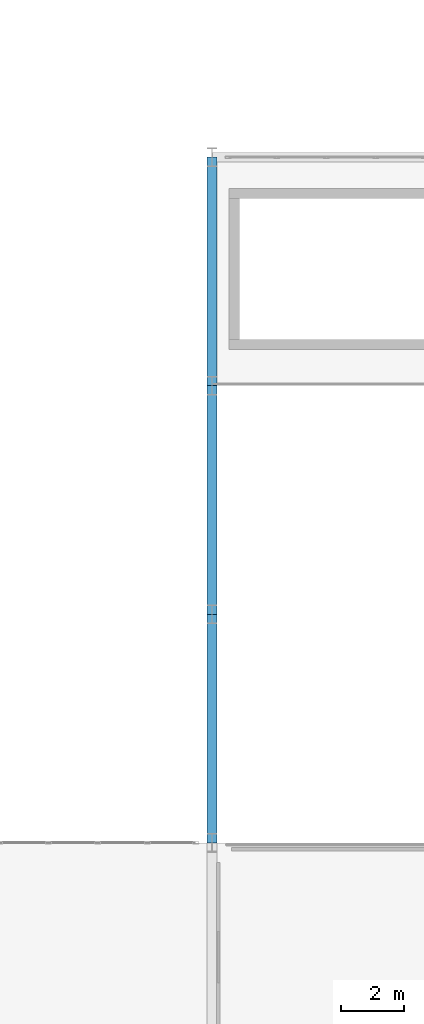
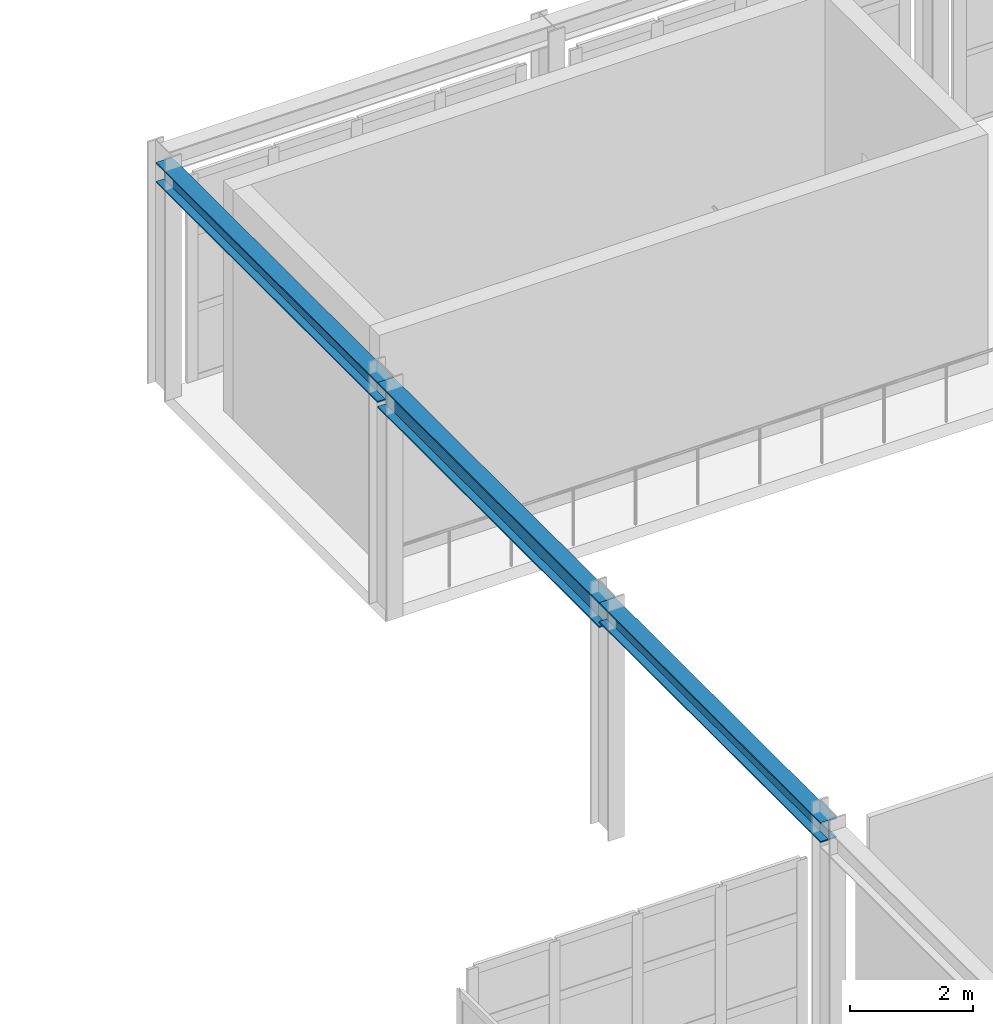
# One storey, part 64 of 126: 3 beams.
"""IFC4 building model written with IfcOpenShell, lengths in metres."""

from ifc_helpers import new_model, si_unit, direction, frame, origin, origin_2d, place, context, subcontext, project, spatial, i_section, extrude, material, material_profile, profile_set, type_object, element, save


model = new_model("IFC4")

# Units and contexts
model_context = context("Model", 3, precision=1e-05, world=origin(), true_north=direction((0.0, 1.0)))
body_context = subcontext(model_context, "Body", "Model", "MODEL_VIEW")
ifc_project = project(units=[si_unit("LENGTHUNIT", "METRE"), si_unit("AREAUNIT", "SQUARE_METRE"), si_unit("VOLUMEUNIT", "CUBIC_METRE"), si_unit("PLANEANGLEUNIT", "RADIAN"), si_unit("MASSUNIT", "GRAM", prefix="KILO")], contexts=[model_context])

# Site, building, storey
site_placement = place(None, origin())
site = spatial("IfcSite", under=ifc_project, at=site_placement, CompositionType="ELEMENT")
building_placement = place(site_placement, origin())
building = spatial("IfcBuilding", under=site, at=building_placement, Name="Solvadek Multi-Sports Hall", CompositionType="ELEMENT")
storey_placement = place(building_placement, frame((0.0, 0.0, 9.60009765625)))
storey = spatial("IfcBuildingStorey", under=building, at=storey_placement, Name="L02", CompositionType="ELEMENT", Elevation=9.60009765625)

# Beams
ifc_material = material(Name="Steel E350 (350 MPa)", Category="steel")
ifc_material_profile_1 = material_profile(ifc_material, i_section(OverallWidth=0.300048828125, OverallDepth=0.39990234375, WebThickness=0.013427734375, FlangeThickness=0.02392578125, at=origin_2d()), Name="WPB 400")
ifc_profile_set_1 = profile_set([ifc_material_profile_1], Name="Steel E350 (350 MPa)")
beam_type_1 = type_object("IfcBeamType", Name="STR-SPN-WPB400", PredefinedType="SPANDREL", material=ifc_profile_set_1)
for number, where, z_axis, x_axis, name in (
    (1, (136.800048828125, 49.199951171875, 4.35986328125), (0.0, 1.0, 0.0), (-1.0, 0.0, 0.0), "L02 Girder SP-02 #1602"),
    (2, (136.800048828125, 63.60009765625, 4.35986328125), (0.0, 1.0, 0.0), (-1.0, 0.0, 0.0), "L02 Girder SP-02 #1604"),
):
    element("IfcBeam", number, at=place(storey_placement, frame(where, z_axis=z_axis, x_axis=x_axis)), inside=storey, type_object=beam_type_1, Name=name, PredefinedType="SPANDREL", context=body_context, shape_type="SweptSolid", body=[
        extrude(i_section(OverallWidth=0.300048828125, OverallDepth=0.39990234375, WebThickness=0.013427734375, FlangeThickness=0.02392578125, at=origin_2d()), origin(), (0.0, 0.0, 1.0), 7.199951171875),
    ])
ifc_material_profile_2 = material_profile(ifc_material, i_section(OverallWidth=0.300048828125, OverallDepth=0.5, WebThickness=0.014404296875, FlangeThickness=0.028076171875, at=origin_2d()), Name="WPB 500")
ifc_profile_set_2 = profile_set([ifc_material_profile_2], Name="Steel E350 (350 MPa)")
beam_type_2 = type_object("IfcBeamType", Name="STR-SPN-WPB500", PredefinedType="SPANDREL", material=ifc_profile_set_2)
beam_placement = place(storey_placement, frame((136.800048828125, 56.39990234375, 4.309814453125), z_axis=(0.0, 1.0, 0.0), x_axis=(-1.0, 0.0, 0.0)))
element("IfcBeam", 3, at=beam_placement, inside=storey, type_object=beam_type_2, Name="L02 Girder SP-01 #1603", PredefinedType="SPANDREL", context=body_context, shape_type="SweptSolid", body=[
    extrude(i_section(OverallWidth=0.300048828125, OverallDepth=0.5, WebThickness=0.014404296875, FlangeThickness=0.028076171875, at=origin_2d()), origin(), (0.0, 0.0, 1.0), 7.2001953125),
])

save(model, "model.ifc")
